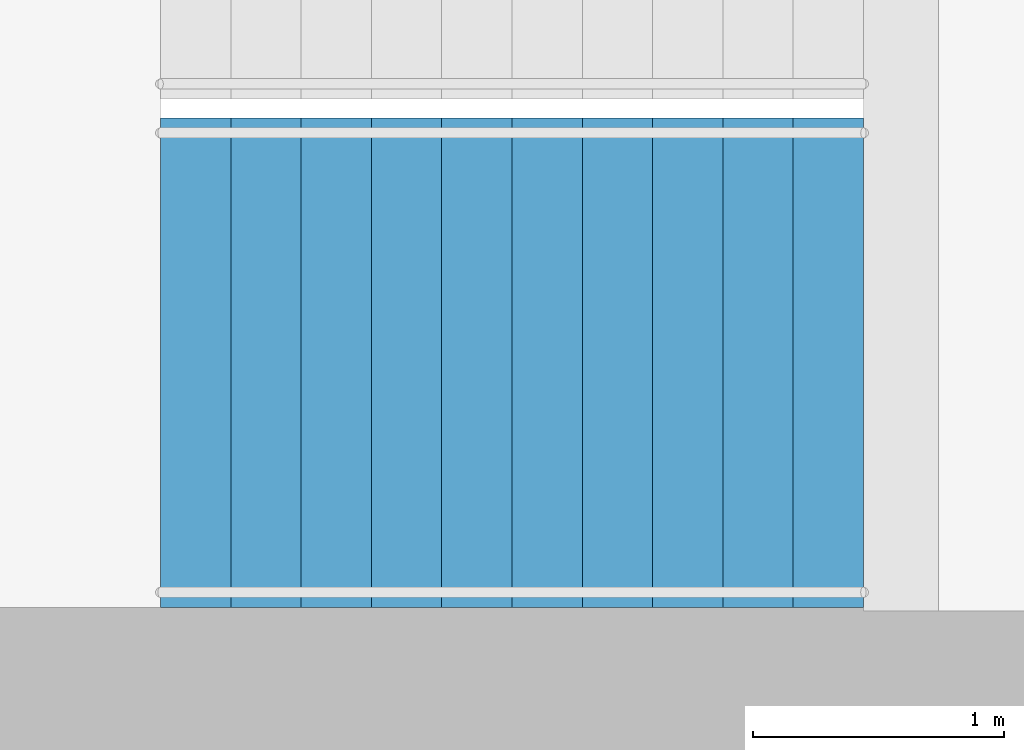
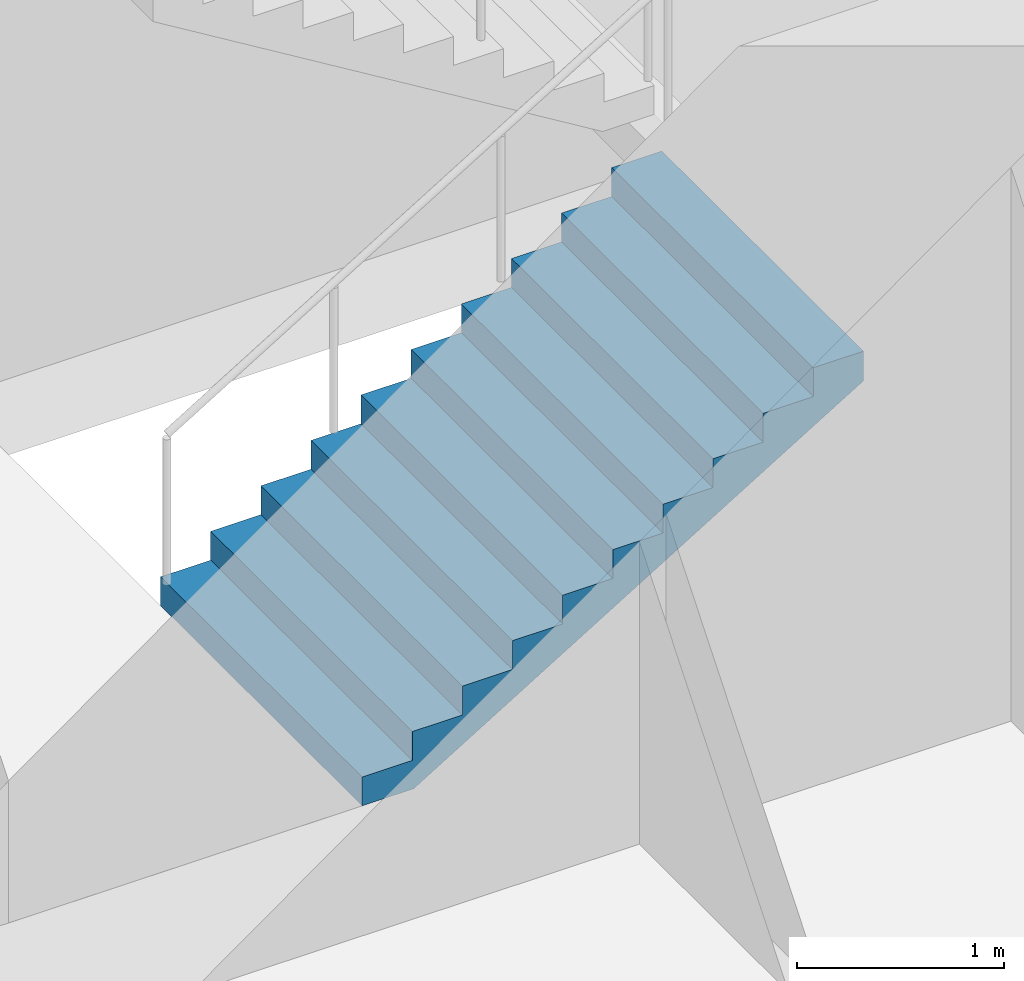
# One storey, part 20 of 25: 1 stair flight, 1 element without a shape of its own.
"""IFC4 building model written with IfcOpenShell, lengths in metres."""

from ifc_helpers import new_model, si_unit, direction, frame, origin, place, context, subcontext, project, spatial, triangles, material, type_object, element, aggregate, save


model = new_model("IFC4")

# Units and contexts
model_context = context("Model", 3, precision=1e-05, world=origin(), true_north=direction((0.0, 1.0)))
body_context = subcontext(model_context, "Body", "Model", "MODEL_VIEW")
ifc_project = project(units=[si_unit("LENGTHUNIT", "METRE"), si_unit("AREAUNIT", "SQUARE_METRE"), si_unit("VOLUMEUNIT", "CUBIC_METRE"), si_unit("PLANEANGLEUNIT", "RADIAN"), si_unit("MASSUNIT", "GRAM", prefix="KILO")], contexts=[model_context])

# Site, building, storey
site_placement = place(None, origin())
site = spatial("IfcSite", under=ifc_project, at=site_placement, CompositionType="ELEMENT")
building_placement = place(site_placement, origin())
building = spatial("IfcBuilding", under=site, at=building_placement, Name="Orbita Commons", CompositionType="ELEMENT")
storey_placement = place(building_placement, frame((0.0, 0.0, 99.39990234375)))
storey = spatial("IfcBuildingStorey", under=building, at=storey_placement, Name="L24", CompositionType="ELEMENT", Elevation=99.39990234375)

# Stair, stair flight
ifc_material_1 = material(Name="Precast concrete C40/50", Category="concrete")
stair_type = type_object("IfcStairType", Name="Exit stair S1 2 flights 11 risers 170", PredefinedType="HALF_TURN_STAIR", material=ifc_material_1)
stair_placement = place(storey_placement, origin())
stair = element("IfcStair", 1, at=stair_placement, inside=storey, type_object=stair_type, Name="Exit stair S1 L24", PredefinedType="HALF_TURN_STAIR")
ifc_material_2 = material(Name="Precast concrete C40/50", Category="concrete")
stair_flight_type = type_object("IfcStairFlightType", Name="Stair flight 11 risers 170 x 280", PredefinedType="STRAIGHT", material=ifc_material_2)
stair_flight_placement = place(storey_placement, frame((20.449951171875, 27.25, 0.0), z_axis=(0.0, 0.0, 1.0), x_axis=(1.0, 0.0, 0.0)))
stair_flight = element("IfcStairFlight", 2, at=stair_flight_placement, type_object=stair_flight_type, Name="S1 flight 1", NumberOfRisers=11, NumberOfTreads=10, PredefinedType="STRAIGHT", RiserHeight=0.170454545, TreadLength=0.28, context=body_context, shape_type="Tessellation", body=[
    triangles([(0.0, 0.974976, 0.0), (0.0, 0.974976, 0.021307), (0.0, 0.81248, 0.021307), (0.0, 0.81248, 0.0), (0.0, 0.649984, 0.021307), (0.0, 0.649984, 0.0), (0.0, 0.487488, 0.021307), (0.0, 0.487488, 0.0), (0.0, 0.324992, 0.021307), (0.0, 0.324992, 0.0), (0.0, 0.162496, 0.021307), (0.0, 0.162496, 0.0), (0.0, 0.0, 0.021307), (0.0, 0.0, 0.0), (0.0, -0.162496, 0.021307), (0.0, -0.162496, 0.0), (0.0, -0.324992, 0.021307), (0.0, -0.324992, 0.0), (0.0, -0.487488, 0.021307), (0.0, -0.487488, 0.0), (0.0, -0.649984, 0.021307), (0.0, -0.649984, 0.0), (0.0, -0.81248, 0.021307), (0.0, -0.81248, 0.0), (0.0, -0.974976, 0.021307), (0.0, -0.974976, 0.0), (0.0, 0.974976, 0.042614), (0.0, 0.81248, 0.042614), (0.0, 0.649984, 0.042614), (0.0, 0.487488, 0.042614), (0.0, 0.324992, 0.042614), (0.0, 0.162496, 0.042614), (0.0, 0.0, 0.042614), (0.0, -0.162496, 0.042614), (0.0, -0.324992, 0.042614), (0.0, -0.487488, 0.042614), (0.0, -0.649984, 0.042614), (0.0, -0.81248, 0.042614), (0.0, -0.974976, 0.042614), (0.0, 0.974976, 0.06392), (0.0, 0.81248, 0.06392), (0.0, 0.649984, 0.06392), (0.0, 0.487488, 0.06392), (0.0, 0.324992, 0.06392), (0.0, 0.162496, 0.06392), (0.0, 0.0, 0.06392), (0.0, -0.162496, 0.06392), (0.0, -0.324992, 0.06392), (0.0, -0.487488, 0.06392), (0.0, -0.649984, 0.06392), (0.0, -0.81248, 0.06392), (0.0, -0.974976, 0.06392), (0.0, 0.974976, 0.085227), (0.0, 0.81248, 0.085227), (0.0, 0.649984, 0.085227), (0.0, 0.487488, 0.085227), (0.0, 0.324992, 0.085227), (0.0, 0.162496, 0.085227), (0.0, 0.0, 0.085227), (0.0, -0.162496, 0.085227), (0.0, -0.324992, 0.085227), (0.0, -0.487488, 0.085227), (0.0, -0.649984, 0.085227), (0.0, -0.81248, 0.085227), (0.0, -0.974976, 0.085227), (0.0, 0.974976, 0.106534), (0.0, 0.81248, 0.106534), (0.0, 0.649984, 0.106534), (0.0, 0.487488, 0.106534), (0.0, 0.324992, 0.106534), (0.0, 0.162496, 0.106534), (0.0, 0.0, 0.106534), (0.0, -0.162496, 0.106534), (0.0, -0.324992, 0.106534), (0.0, -0.487488, 0.106534), (0.0, -0.649984, 0.106534), (0.0, -0.81248, 0.106534), (0.0, -0.974976, 0.106534), (0.0, 0.974976, 0.127841), (0.0, 0.81248, 0.127841), (0.0, 0.649984, 0.127841), (0.0, 0.487488, 0.127841), (0.0, 0.324992, 0.127841), (0.0, 0.162496, 0.127841), (0.0, 0.0, 0.127841), (0.0, -0.162496, 0.127841), (0.0, -0.324992, 0.127841), (0.0, -0.487488, 0.127841), (0.0, -0.649984, 0.127841), (0.0, -0.81248, 0.127841), (0.0, -0.974976, 0.127841), (0.0, 0.974976, 0.149148), (0.0, 0.81248, 0.149148), (0.0, 0.649984, 0.149148), (0.0, 0.487488, 0.149148), (0.0, 0.324992, 0.149148), (0.0, 0.162496, 0.149148), (0.0, 0.0, 0.149148), (0.0, -0.162496, 0.149148), (0.0, -0.324992, 0.149148), (0.0, -0.487488, 0.149148), (0.0, -0.649984, 0.149148), (0.0, -0.81248, 0.149148), (0.0, -0.974976, 0.149148), (0.0, 0.974976, 0.170455), (0.0, 0.81248, 0.170455), (0.0, 0.649984, 0.170455), (0.0, 0.487488, 0.170455), (0.0, 0.324992, 0.170455), (0.0, 0.162496, 0.170455), (0.0, 0.0, 0.170455), (0.0, -0.162496, 0.170455), (0.0, -0.324992, 0.170455), (0.0, -0.487488, 0.170455), (0.0, -0.649984, 0.170455), (0.0, -0.81248, 0.170455), (0.0, -0.974976, 0.170455), (0.28, 0.974976, 0.170455), (0.28, 0.81248, 0.170455), (0.28, 0.649984, 0.170455), (0.28, 0.487488, 0.170455), (0.28, 0.324992, 0.170455), (0.28, 0.162496, 0.170455), (0.28, 0.0, 0.170455), (0.28, -0.162496, 0.170455), (0.28, -0.324992, 0.170455), (0.28, -0.487488, 0.170455), (0.28, -0.649984, 0.170455), (0.28, -0.81248, 0.170455), (0.28, -0.974976, 0.170455), (0.28, 0.974976, 0.340909), (0.28, 0.81248, 0.340909), (0.28, 0.649984, 0.340909), (0.28, 0.487488, 0.340909), (0.28, 0.324992, 0.340909), (0.28, 0.162496, 0.340909), (0.28, 0.0, 0.340909), (0.28, -0.162496, 0.340909), (0.28, -0.324992, 0.340909), (0.28, -0.487488, 0.340909), (0.28, -0.649984, 0.340909), (0.28, -0.81248, 0.340909), (0.28, -0.974976, 0.340909), (0.56, 0.974976, 0.340909), (0.56, 0.81248, 0.340909), (0.56, 0.649984, 0.340909), (0.56, 0.487488, 0.340909), (0.56, 0.324992, 0.340909), (0.56, 0.162496, 0.340909), (0.56, 0.0, 0.340909), (0.56, -0.162496, 0.340909), (0.56, -0.324992, 0.340909), (0.56, -0.487488, 0.340909), (0.56, -0.649984, 0.340909), (0.56, -0.81248, 0.340909), (0.56, -0.974976, 0.340909), (0.56, 0.974976, 0.511364), (0.56, 0.81248, 0.511364), (0.56, 0.649984, 0.511364), (0.56, 0.487488, 0.511364), (0.56, 0.324992, 0.511364), (0.56, 0.162496, 0.511364), (0.56, 0.0, 0.511364), (0.56, -0.162496, 0.511364), (0.56, -0.324992, 0.511364), (0.56, -0.487488, 0.511364), (0.56, -0.649984, 0.511364), (0.56, -0.81248, 0.511364), (0.56, -0.974976, 0.511364), (0.84, 0.974976, 0.511364), (0.84, 0.81248, 0.511364), (0.84, 0.649984, 0.511364), (0.84, 0.487488, 0.511364), (0.84, 0.324992, 0.511364), (0.84, 0.162496, 0.511364), (0.84, 0.0, 0.511364), (0.84, -0.162496, 0.511364), (0.84, -0.324992, 0.511364), (0.84, -0.487488, 0.511364), (0.84, -0.649984, 0.511364), (0.84, -0.81248, 0.511364), (0.84, -0.974976, 0.511364), (0.84, 0.974976, 0.681818), (0.84, 0.81248, 0.681818), (0.84, 0.649984, 0.681818), (0.84, 0.487488, 0.681818), (0.84, 0.324992, 0.681818), (0.84, 0.162496, 0.681818), (0.84, 0.0, 0.681818), (0.84, -0.162496, 0.681818), (0.84, -0.324992, 0.681818), (0.84, -0.487488, 0.681818), (0.84, -0.649984, 0.681818), (0.84, -0.81248, 0.681818), (0.84, -0.974976, 0.681818), (1.12, 0.974976, 0.681818), (1.12, 0.81248, 0.681818), (1.12, 0.649984, 0.681818), (1.12, 0.487488, 0.681818), (1.12, 0.324992, 0.681818), (1.12, 0.162496, 0.681818), (1.12, 0.0, 0.681818), (1.12, -0.162496, 0.681818), (1.12, -0.324992, 0.681818), (1.12, -0.487488, 0.681818), (1.12, -0.649984, 0.681818), (1.12, -0.81248, 0.681818), (1.12, -0.974976, 0.681818), (1.12, 0.974976, 0.852273), (1.12, 0.81248, 0.852273), (1.12, 0.649984, 0.852273), (1.12, 0.487488, 0.852273), (1.12, 0.324992, 0.852273), (1.12, 0.162496, 0.852273), (1.12, 0.0, 0.852273), (1.12, -0.162496, 0.852273), (1.12, -0.324992, 0.852273), (1.12, -0.487488, 0.852273), (1.12, -0.649984, 0.852273), (1.12, -0.81248, 0.852273), (1.12, -0.974976, 0.852273), (1.4, 0.974976, 0.852273), (1.4, 0.81248, 0.852273), (1.4, 0.649984, 0.852273), (1.4, 0.487488, 0.852273), (1.4, 0.324992, 0.852273), (1.4, 0.162496, 0.852273), (1.4, 0.0, 0.852273), (1.4, -0.162496, 0.852273), (1.4, -0.324992, 0.852273), (1.4, -0.487488, 0.852273), (1.4, -0.649984, 0.852273), (1.4, -0.81248, 0.852273), (1.4, -0.974976, 0.852273), (1.4, 0.974976, 1.022727), (1.4, 0.81248, 1.022727), (1.4, 0.649984, 1.022727), (1.4, 0.487488, 1.022727), (1.4, 0.324992, 1.022727), (1.4, 0.162496, 1.022727), (1.4, 0.0, 1.022727), (1.4, -0.162496, 1.022727), (1.4, -0.324992, 1.022727), (1.4, -0.487488, 1.022727), (1.4, -0.649984, 1.022727), (1.4, -0.81248, 1.022727), (1.4, -0.974976, 1.022727), (1.68, 0.974976, 1.022727), (1.68, 0.81248, 1.022727), (1.68, 0.649984, 1.022727), (1.68, 0.487488, 1.022727), (1.68, 0.324992, 1.022727), (1.68, 0.162496, 1.022727), (1.68, 0.0, 1.022727), (1.68, -0.162496, 1.022727), (1.68, -0.324992, 1.022727), (1.68, -0.487488, 1.022727), (1.68, -0.649984, 1.022727), (1.68, -0.81248, 1.022727), (1.68, -0.974976, 1.022727), (1.68, 0.974976, 1.193182), (1.68, 0.81248, 1.193182), (1.68, 0.649984, 1.193182), (1.68, 0.487488, 1.193182), (1.68, 0.324992, 1.193182), (1.68, 0.162496, 1.193182), (1.68, 0.0, 1.193182), (1.68, -0.162496, 1.193182), (1.68, -0.324992, 1.193182), (1.68, -0.487488, 1.193182), (1.68, -0.649984, 1.193182), (1.68, -0.81248, 1.193182), (1.68, -0.974976, 1.193182), (1.96, 0.974976, 1.193182), (1.96, 0.81248, 1.193182), (1.96, 0.649984, 1.193182), (1.96, 0.487488, 1.193182), (1.96, 0.324992, 1.193182), (1.96, 0.162496, 1.193182), (1.96, 0.0, 1.193182), (1.96, -0.162496, 1.193182), (1.96, -0.324992, 1.193182), (1.96, -0.487488, 1.193182), (1.96, -0.649984, 1.193182), (1.96, -0.81248, 1.193182), (1.96, -0.974976, 1.193182), (1.96, 0.974976, 1.363636), (1.96, 0.81248, 1.363636), (1.96, 0.649984, 1.363636), (1.96, 0.487488, 1.363636), (1.96, 0.324992, 1.363636), (1.96, 0.162496, 1.363636), (1.96, 0.0, 1.363636), (1.96, -0.162496, 1.363636), (1.96, -0.324992, 1.363636), (1.96, -0.487488, 1.363636), (1.96, -0.649984, 1.363636), (1.96, -0.81248, 1.363636), (1.96, -0.974976, 1.363636), (2.24, 0.974976, 1.363636), (2.24, 0.81248, 1.363636), (2.24, 0.649984, 1.363636), (2.24, 0.487488, 1.363636), (2.24, 0.324992, 1.363636), (2.24, 0.162496, 1.363636), (2.24, 0.0, 1.363636), (2.24, -0.162496, 1.363636), (2.24, -0.324992, 1.363636), (2.24, -0.487488, 1.363636), (2.24, -0.649984, 1.363636), (2.24, -0.81248, 1.363636), (2.24, -0.974976, 1.363636), (2.24, 0.974976, 1.534091), (2.24, 0.81248, 1.534091), (2.24, 0.649984, 1.534091), (2.24, 0.487488, 1.534091), (2.24, 0.324992, 1.534091), (2.24, 0.162496, 1.534091), (2.24, 0.0, 1.534091), (2.24, -0.162496, 1.534091), (2.24, -0.324992, 1.534091), (2.24, -0.487488, 1.534091), (2.24, -0.649984, 1.534091), (2.24, -0.81248, 1.534091), (2.24, -0.974976, 1.534091), (2.52, 0.974976, 1.534091), (2.52, 0.81248, 1.534091), (2.52, 0.649984, 1.534091), (2.52, 0.487488, 1.534091), (2.52, 0.324992, 1.534091), (2.52, 0.162496, 1.534091), (2.52, 0.0, 1.534091), (2.52, -0.162496, 1.534091), (2.52, -0.324992, 1.534091), (2.52, -0.487488, 1.534091), (2.52, -0.649984, 1.534091), (2.52, -0.81248, 1.534091), (2.52, -0.974976, 1.534091), (2.52, 0.974976, 1.704545), (2.52, 0.81248, 1.704545), (2.52, 0.649984, 1.704545), (2.52, 0.487488, 1.704545), (2.52, 0.324992, 1.704545), (2.52, 0.162496, 1.704545), (2.52, 0.0, 1.704545), (2.52, -0.162496, 1.704545), (2.52, -0.324992, 1.704545), (2.52, -0.487488, 1.704545), (2.52, -0.649984, 1.704545), (2.52, -0.81248, 1.704545), (2.52, -0.974976, 1.704545), (2.8, 0.974976, 1.704545), (2.8, 0.81248, 1.704545), (2.8, 0.649984, 1.704545), (2.8, 0.487488, 1.704545), (2.8, 0.324992, 1.704545), (2.8, 0.162496, 1.704545), (2.8, 0.0, 1.704545), (2.8, -0.162496, 1.704545), (2.8, -0.324992, 1.704545), (2.8, -0.487488, 1.704545), (2.8, -0.649984, 1.704545), (2.8, -0.81248, 1.704545), (2.8, -0.974976, 1.704545), (2.8, 0.974976, 1.682609), (2.8, 0.81248, 1.682609), (2.8, 0.649984, 1.682609), (2.8, 0.487488, 1.682609), (2.8, 0.324992, 1.682609), (2.8, 0.162496, 1.682609), (2.8, 0.0, 1.682609), (2.8, -0.162496, 1.682609), (2.8, -0.324992, 1.682609), (2.8, -0.487488, 1.682609), (2.8, -0.649984, 1.682609), (2.8, -0.81248, 1.682609), (2.8, -0.974976, 1.682609), (2.8, 0.974976, 1.660672), (2.8, 0.81248, 1.660672), (2.8, 0.649984, 1.660672), (2.8, 0.487488, 1.660672), (2.8, 0.324992, 1.660672), (2.8, 0.162496, 1.660672), (2.8, 0.0, 1.660672), (2.8, -0.162496, 1.660672), (2.8, -0.324992, 1.660672), (2.8, -0.487488, 1.660672), (2.8, -0.649984, 1.660672), (2.8, -0.81248, 1.660672), (2.8, -0.974976, 1.660672), (2.8, 0.974976, 1.638735), (2.8, 0.81248, 1.638735), (2.8, 0.649984, 1.638735), (2.8, 0.487488, 1.638735), (2.8, 0.324992, 1.638735), (2.8, 0.162496, 1.638735), (2.8, 0.0, 1.638735), (2.8, -0.162496, 1.638735), (2.8, -0.324992, 1.638735), (2.8, -0.487488, 1.638735), (2.8, -0.649984, 1.638735), (2.8, -0.81248, 1.638735), (2.8, -0.974976, 1.638735), (2.8, 0.974976, 1.616798), (2.8, 0.81248, 1.616798), (2.8, 0.649984, 1.616798), (2.8, 0.487488, 1.616798), (2.8, 0.324992, 1.616798), (2.8, 0.162496, 1.616798), (2.8, 0.0, 1.616798), (2.8, -0.162496, 1.616798), (2.8, -0.324992, 1.616798), (2.8, -0.487488, 1.616798), (2.8, -0.649984, 1.616798), (2.8, -0.81248, 1.616798), (2.8, -0.974976, 1.616798), (2.8, 0.974976, 1.594861), (2.8, 0.81248, 1.594861), (2.8, 0.649984, 1.594861), (2.8, 0.487488, 1.594861), (2.8, 0.324992, 1.594861), (2.8, 0.162496, 1.594861), (2.8, 0.0, 1.594861), (2.8, -0.162496, 1.594861), (2.8, -0.324992, 1.594861), (2.8, -0.487488, 1.594861), (2.8, -0.649984, 1.594861), (2.8, -0.81248, 1.594861), (2.8, -0.974976, 1.594861), (2.8, 0.974976, 1.572925), (2.8, 0.81248, 1.572925), (2.8, 0.649984, 1.572925), (2.8, 0.487488, 1.572925), (2.8, 0.324992, 1.572925), (2.8, 0.162496, 1.572925), (2.8, 0.0, 1.572925), (2.8, -0.162496, 1.572925), (2.8, -0.324992, 1.572925), (2.8, -0.487488, 1.572925), (2.8, -0.649984, 1.572925), (2.8, -0.81248, 1.572925), (2.8, -0.974976, 1.572925), (2.8, 0.974976, 1.550988), (2.8, 0.81248, 1.550988), (2.8, 0.649984, 1.550988), (2.8, 0.487488, 1.550988), (2.8, 0.324992, 1.550988), (2.8, 0.162496, 1.550988), (2.8, 0.0, 1.550988), (2.8, -0.162496, 1.550988), (2.8, -0.324992, 1.550988), (2.8, -0.487488, 1.550988), (2.8, -0.649984, 1.550988), (2.8, -0.81248, 1.550988), (2.8, -0.974976, 1.550988), (2.8, 0.974976, 1.529051), (2.8, 0.81248, 1.529051), (2.8, 0.649984, 1.529051), (2.8, 0.487488, 1.529051), (2.8, 0.324992, 1.529051), (2.8, 0.162496, 1.529051), (2.8, 0.0, 1.529051), (2.8, -0.162496, 1.529051), (2.8, -0.324992, 1.529051), (2.8, -0.487488, 1.529051), (2.8, -0.649984, 1.529051), (2.8, -0.81248, 1.529051), (2.8, -0.974976, 1.529051), (0.288279, 0.974976, 0.0), (0.288279, 0.81248, 0.0), (0.288279, 0.649984, 0.0), (0.288279, 0.487488, 0.0), (0.288279, 0.324992, 0.0), (0.288279, 0.162496, 0.0), (0.288279, 0.0, 0.0), (0.288279, -0.162496, 0.0), (0.288279, -0.324992, 0.0), (0.288279, -0.487488, 0.0), (0.288279, -0.649984, 0.0), (0.288279, -0.81248, 0.0), (0.288279, -0.974976, 0.0)], [[3, 2, 1], [4, 3, 1], [5, 3, 4], [6, 5, 4], [7, 5, 6], [8, 7, 6], [9, 7, 8], [10, 9, 8], [11, 9, 10], [12, 11, 10], [13, 11, 12], [14, 13, 12], [15, 13, 14], [16, 15, 14], [17, 15, 16], [18, 17, 16], [19, 17, 18], [20, 19, 18], [21, 19, 20], [22, 21, 20], [23, 21, 22], [24, 23, 22], [25, 23, 24], [26, 25, 24], [28, 27, 2], [3, 28, 2], [29, 28, 3], [5, 29, 3], [30, 29, 5], [7, 30, 5], [31, 30, 7], [9, 31, 7], [32, 31, 9], [11, 32, 9], [33, 32, 11], [13, 33, 11], [34, 33, 13], [15, 34, 13], [35, 34, 15], [17, 35, 15], [36, 35, 17], [19, 36, 17], [37, 36, 19], [21, 37, 19], [38, 37, 21], [23, 38, 21], [39, 38, 23], [25, 39, 23], [41, 40, 27], [28, 41, 27], [42, 41, 28], [29, 42, 28], [43, 42, 29], [30, 43, 29], [44, 43, 30], [31, 44, 30], [45, 44, 31], [32, 45, 31], [46, 45, 32], [33, 46, 32], [47, 46, 33], [34, 47, 33], [48, 47, 34], [35, 48, 34], [49, 48, 35], [36, 49, 35], [50, 49, 36], [37, 50, 36], [51, 50, 37], [38, 51, 37], [52, 51, 38], [39, 52, 38], [54, 53, 40], [41, 54, 40], [55, 54, 41], [42, 55, 41], [56, 55, 42], [43, 56, 42], [57, 56, 43], [44, 57, 43], [58, 57, 44], [45, 58, 44], [59, 58, 45], [46, 59, 45], [60, 59, 46], [47, 60, 46], [61, 60, 47], [48, 61, 47], [62, 61, 48], [49, 62, 48], [63, 62, 49], [50, 63, 49], [64, 63, 50], [51, 64, 50], [65, 64, 51], [52, 65, 51], [67, 66, 53], [54, 67, 53], [68, 67, 54], [55, 68, 54], [69, 68, 55], [56, 69, 55], [70, 69, 56], [57, 70, 56], [71, 70, 57], [58, 71, 57], [72, 71, 58], [59, 72, 58], [73, 72, 59], [60, 73, 59], [74, 73, 60], [61, 74, 60], [75, 74, 61], [62, 75, 61], [76, 75, 62], [63, 76, 62], [77, 76, 63], [64, 77, 63], [78, 77, 64], [65, 78, 64], [80, 79, 66], [67, 80, 66], [81, 80, 67], [68, 81, 67], [82, 81, 68], [69, 82, 68], [83, 82, 69], [70, 83, 69], [84, 83, 70], [71, 84, 70], [85, 84, 71], [72, 85, 71], [86, 85, 72], [73, 86, 72], [87, 86, 73], [74, 87, 73], [88, 87, 74], [75, 88, 74], [89, 88, 75], [76, 89, 75], [90, 89, 76], [77, 90, 76], [91, 90, 77], [78, 91, 77], [93, 92, 79], [80, 93, 79], [94, 93, 80], [81, 94, 80], [95, 94, 81], [82, 95, 81], [96, 95, 82], [83, 96, 82], [97, 96, 83], [84, 97, 83], [98, 97, 84], [85, 98, 84], [99, 98, 85], [86, 99, 85], [100, 99, 86], [87, 100, 86], [101, 100, 87], [88, 101, 87], [102, 101, 88], [89, 102, 88], [103, 102, 89], [90, 103, 89], [104, 103, 90], [91, 104, 90], [106, 105, 92], [93, 106, 92], [107, 106, 93], [94, 107, 93], [108, 107, 94], [95, 108, 94], [109, 108, 95], [96, 109, 95], [110, 109, 96], [97, 110, 96], [111, 110, 97], [98, 111, 97], [112, 111, 98], [99, 112, 98], [113, 112, 99], [100, 113, 99], [114, 113, 100], [101, 114, 100], [115, 114, 101], [102, 115, 101], [116, 115, 102], [103, 116, 102], [117, 116, 103], [104, 117, 103], [119, 118, 105], [106, 119, 105], [120, 119, 106], [107, 120, 106], [121, 120, 107], [108, 121, 107], [122, 121, 108], [109, 122, 108], [123, 122, 109], [110, 123, 109], [124, 123, 110], [111, 124, 110], [125, 124, 111], [112, 125, 111], [126, 125, 112], [113, 126, 112], [127, 126, 113], [114, 127, 113], [128, 127, 114], [115, 128, 114], [129, 128, 115], [116, 129, 115], [130, 129, 116], [117, 130, 116], [132, 131, 118], [119, 132, 118], [133, 132, 119], [120, 133, 119], [134, 133, 120], [121, 134, 120], [135, 134, 121], [122, 135, 121], [136, 135, 122], [123, 136, 122], [137, 136, 123], [124, 137, 123], [138, 137, 124], [125, 138, 124], [139, 138, 125], [126, 139, 125], [140, 139, 126], [127, 140, 126], [141, 140, 127], [128, 141, 127], [142, 141, 128], [129, 142, 128], [143, 142, 129], [130, 143, 129], [145, 144, 131], [132, 145, 131], [146, 145, 132], [133, 146, 132], [147, 146, 133], [134, 147, 133], [148, 147, 134], [135, 148, 134], [149, 148, 135], [136, 149, 135], [150, 149, 136], [137, 150, 136], [151, 150, 137], [138, 151, 137], [152, 151, 138], [139, 152, 138], [153, 152, 139], [140, 153, 139], [154, 153, 140], [141, 154, 140], [155, 154, 141], [142, 155, 141], [156, 155, 142], [143, 156, 142], [158, 157, 144], [145, 158, 144], [159, 158, 145], [146, 159, 145], [160, 159, 146], [147, 160, 146], [161, 160, 147], [148, 161, 147], [162, 161, 148], [149, 162, 148], [163, 162, 149], [150, 163, 149], [164, 163, 150], [151, 164, 150], [165, 164, 151], [152, 165, 151], [166, 165, 152], [153, 166, 152], [167, 166, 153], [154, 167, 153], [168, 167, 154], [155, 168, 154], [169, 168, 155], [156, 169, 155], [171, 170, 157], [158, 171, 157], [172, 171, 158], [159, 172, 158], [173, 172, 159], [160, 173, 159], [174, 173, 160], [161, 174, 160], [175, 174, 161], [162, 175, 161], [176, 175, 162], [163, 176, 162], [177, 176, 163], [164, 177, 163], [178, 177, 164], [165, 178, 164], [179, 178, 165], [166, 179, 165], [180, 179, 166], [167, 180, 166], [181, 180, 167], [168, 181, 167], [182, 181, 168], [169, 182, 168], [184, 183, 170], [171, 184, 170], [185, 184, 171], [172, 185, 171], [186, 185, 172], [173, 186, 172], [187, 186, 173], [174, 187, 173], [188, 187, 174], [175, 188, 174], [189, 188, 175], [176, 189, 175], [190, 189, 176], [177, 190, 176], [191, 190, 177], [178, 191, 177], [192, 191, 178], [179, 192, 178], [193, 192, 179], [180, 193, 179], [194, 193, 180], [181, 194, 180], [195, 194, 181], [182, 195, 181], [197, 196, 183], [184, 197, 183], [198, 197, 184], [185, 198, 184], [199, 198, 185], [186, 199, 185], [200, 199, 186], [187, 200, 186], [201, 200, 187], [188, 201, 187], [202, 201, 188], [189, 202, 188], [203, 202, 189], [190, 203, 189], [204, 203, 190], [191, 204, 190], [205, 204, 191], [192, 205, 191], [206, 205, 192], [193, 206, 192], [207, 206, 193], [194, 207, 193], [208, 207, 194], [195, 208, 194], [210, 209, 196], [197, 210, 196], [211, 210, 197], [198, 211, 197], [212, 211, 198], [199, 212, 198], [213, 212, 199], [200, 213, 199], [214, 213, 200], [201, 214, 200], [215, 214, 201], [202, 215, 201], [216, 215, 202], [203, 216, 202], [217, 216, 203], [204, 217, 203], [218, 217, 204], [205, 218, 204], [219, 218, 205], [206, 219, 205], [220, 219, 206], [207, 220, 206], [221, 220, 207], [208, 221, 207], [223, 222, 209], [210, 223, 209], [224, 223, 210], [211, 224, 210], [225, 224, 211], [212, 225, 211], [226, 225, 212], [213, 226, 212], [227, 226, 213], [214, 227, 213], [228, 227, 214], [215, 228, 214], [229, 228, 215], [216, 229, 215], [230, 229, 216], [217, 230, 216], [231, 230, 217], [218, 231, 217], [232, 231, 218], [219, 232, 218], [233, 232, 219], [220, 233, 219], [234, 233, 220], [221, 234, 220], [236, 235, 222], [223, 236, 222], [237, 236, 223], [224, 237, 223], [238, 237, 224], [225, 238, 224], [239, 238, 225], [226, 239, 225], [240, 239, 226], [227, 240, 226], [241, 240, 227], [228, 241, 227], [242, 241, 228], [229, 242, 228], [243, 242, 229], [230, 243, 229], [244, 243, 230], [231, 244, 230], [245, 244, 231], [232, 245, 231], [246, 245, 232], [233, 246, 232], [247, 246, 233], [234, 247, 233], [249, 248, 235], [236, 249, 235], [250, 249, 236], [237, 250, 236], [251, 250, 237], [238, 251, 237], [252, 251, 238], [239, 252, 238], [253, 252, 239], [240, 253, 239], [254, 253, 240], [241, 254, 240], [255, 254, 241], [242, 255, 241], [256, 255, 242], [243, 256, 242], [257, 256, 243], [244, 257, 243], [258, 257, 244], [245, 258, 244], [259, 258, 245], [246, 259, 245], [260, 259, 246], [247, 260, 246], [262, 261, 248], [249, 262, 248], [263, 262, 249], [250, 263, 249], [264, 263, 250], [251, 264, 250], [265, 264, 251], [252, 265, 251], [266, 265, 252], [253, 266, 252], [267, 266, 253], [254, 267, 253], [268, 267, 254], [255, 268, 254], [269, 268, 255], [256, 269, 255], [270, 269, 256], [257, 270, 256], [271, 270, 257], [258, 271, 257], [272, 271, 258], [259, 272, 258], [273, 272, 259], [260, 273, 259], [275, 274, 261], [262, 275, 261], [276, 275, 262], [263, 276, 262], [277, 276, 263], [264, 277, 263], [278, 277, 264], [265, 278, 264], [279, 278, 265], [266, 279, 265], [280, 279, 266], [267, 280, 266], [281, 280, 267], [268, 281, 267], [282, 281, 268], [269, 282, 268], [283, 282, 269], [270, 283, 269], [284, 283, 270], [271, 284, 270], [285, 284, 271], [272, 285, 271], [286, 285, 272], [273, 286, 272], [288, 287, 274], [275, 288, 274], [289, 288, 275], [276, 289, 275], [290, 289, 276], [277, 290, 276], [291, 290, 277], [278, 291, 277], [292, 291, 278], [279, 292, 278], [293, 292, 279], [280, 293, 279], [294, 293, 280], [281, 294, 280], [295, 294, 281], [282, 295, 281], [296, 295, 282], [283, 296, 282], [297, 296, 283], [284, 297, 283], [298, 297, 284], [285, 298, 284], [299, 298, 285], [286, 299, 285], [301, 300, 287], [288, 301, 287], [302, 301, 288], [289, 302, 288], [303, 302, 289], [290, 303, 289], [304, 303, 290], [291, 304, 290], [305, 304, 291], [292, 305, 291], [306, 305, 292], [293, 306, 292], [307, 306, 293], [294, 307, 293], [308, 307, 294], [295, 308, 294], [309, 308, 295], [296, 309, 295], [310, 309, 296], [297, 310, 296], [311, 310, 297], [298, 311, 297], [312, 311, 298], [299, 312, 298], [314, 313, 300], [301, 314, 300], [315, 314, 301], [302, 315, 301], [316, 315, 302], [303, 316, 302], [317, 316, 303], [304, 317, 303], [318, 317, 304], [305, 318, 304], [319, 318, 305], [306, 319, 305], [320, 319, 306], [307, 320, 306], [321, 320, 307], [308, 321, 307], [322, 321, 308], [309, 322, 308], [323, 322, 309], [310, 323, 309], [324, 323, 310], [311, 324, 310], [325, 324, 311], [312, 325, 311], [327, 326, 313], [314, 327, 313], [328, 327, 314], [315, 328, 314], [329, 328, 315], [316, 329, 315], [330, 329, 316], [317, 330, 316], [331, 330, 317], [318, 331, 317], [332, 331, 318], [319, 332, 318], [333, 332, 319], [320, 333, 319], [334, 333, 320], [321, 334, 320], [335, 334, 321], [322, 335, 321], [336, 335, 322], [323, 336, 322], [337, 336, 323], [324, 337, 323], [338, 337, 324], [325, 338, 324], [340, 339, 326], [327, 340, 326], [341, 340, 327], [328, 341, 327], [342, 341, 328], [329, 342, 328], [343, 342, 329], [330, 343, 329], [344, 343, 330], [331, 344, 330], [345, 344, 331], [332, 345, 331], [346, 345, 332], [333, 346, 332], [347, 346, 333], [334, 347, 333], [348, 347, 334], [335, 348, 334], [349, 348, 335], [336, 349, 335], [350, 349, 336], [337, 350, 336], [351, 350, 337], [338, 351, 337], [353, 352, 339], [340, 353, 339], [354, 353, 340], [341, 354, 340], [355, 354, 341], [342, 355, 341], [356, 355, 342], [343, 356, 342], [357, 356, 343], [344, 357, 343], [358, 357, 344], [345, 358, 344], [359, 358, 345], [346, 359, 345], [360, 359, 346], [347, 360, 346], [361, 360, 347], [348, 361, 347], [362, 361, 348], [349, 362, 348], [363, 362, 349], [350, 363, 349], [364, 363, 350], [351, 364, 350], [366, 365, 352], [353, 366, 352], [367, 366, 353], [354, 367, 353], [368, 367, 354], [355, 368, 354], [369, 368, 355], [356, 369, 355], [370, 369, 356], [357, 370, 356], [371, 370, 357], [358, 371, 357], [372, 371, 358], [359, 372, 358], [373, 372, 359], [360, 373, 359], [374, 373, 360], [361, 374, 360], [375, 374, 361], [362, 375, 361], [376, 375, 362], [363, 376, 362], [377, 376, 363], [364, 377, 363], [379, 378, 365], [366, 379, 365], [380, 379, 366], [367, 380, 366], [381, 380, 367], [368, 381, 367], [382, 381, 368], [369, 382, 368], [383, 382, 369], [370, 383, 369], [384, 383, 370], [371, 384, 370], [385, 384, 371], [372, 385, 371], [386, 385, 372], [373, 386, 372], [387, 386, 373], [374, 387, 373], [388, 387, 374], [375, 388, 374], [389, 388, 375], [376, 389, 375], [390, 389, 376], [377, 390, 376], [392, 391, 378], [379, 392, 378], [393, 392, 379], [380, 393, 379], [394, 393, 380], [381, 394, 380], [395, 394, 381], [382, 395, 381], [396, 395, 382], [383, 396, 382], [397, 396, 383], [384, 397, 383], [398, 397, 384], [385, 398, 384], [399, 398, 385], [386, 399, 385], [400, 399, 386], [387, 400, 386], [401, 400, 387], [388, 401, 387], [402, 401, 388], [389, 402, 388], [403, 402, 389], [390, 403, 389], [405, 404, 391], [392, 405, 391], [406, 405, 392], [393, 406, 392], [407, 406, 393], [394, 407, 393], [408, 407, 394], [395, 408, 394], [409, 408, 395], [396, 409, 395], [410, 409, 396], [397, 410, 396], [411, 410, 397], [398, 411, 397], [412, 411, 398], [399, 412, 398], [413, 412, 399], [400, 413, 399], [414, 413, 400], [401, 414, 400], [415, 414, 401], [402, 415, 401], [416, 415, 402], [403, 416, 402], [418, 417, 404], [405, 418, 404], [419, 418, 405], [406, 419, 405], [420, 419, 406], [407, 420, 406], [421, 420, 407], [408, 421, 407], [422, 421, 408], [409, 422, 408], [423, 422, 409], [410, 423, 409], [424, 423, 410], [411, 424, 410], [425, 424, 411], [412, 425, 411], [426, 425, 412], [413, 426, 412], [427, 426, 413], [414, 427, 413], [428, 427, 414], [415, 428, 414], [429, 428, 415], [416, 429, 415], [431, 430, 417], [418, 431, 417], [432, 431, 418], [419, 432, 418], [433, 432, 419], [420, 433, 419], [434, 433, 420], [421, 434, 420], [435, 434, 421], [422, 435, 421], [436, 435, 422], [423, 436, 422], [437, 436, 423], [424, 437, 423], [438, 437, 424], [425, 438, 424], [439, 438, 425], [426, 439, 425], [440, 439, 426], [427, 440, 426], [441, 440, 427], [428, 441, 427], [442, 441, 428], [429, 442, 428], [444, 443, 430], [431, 444, 430], [445, 444, 431], [432, 445, 431], [446, 445, 432], [433, 446, 432], [447, 446, 433], [434, 447, 433], [448, 447, 434], [435, 448, 434], [449, 448, 435], [436, 449, 435], [450, 449, 436], [437, 450, 436], [451, 450, 437], [438, 451, 437], [452, 451, 438], [439, 452, 438], [453, 452, 439], [440, 453, 439], [454, 453, 440], [441, 454, 440], [455, 454, 441], [442, 455, 441], [457, 456, 443], [444, 457, 443], [458, 457, 444], [445, 458, 444], [459, 458, 445], [446, 459, 445], [460, 459, 446], [447, 460, 446], [461, 460, 447], [448, 461, 447], [462, 461, 448], [449, 462, 448], [463, 462, 449], [450, 463, 449], [464, 463, 450], [451, 464, 450], [465, 464, 451], [452, 465, 451], [466, 465, 452], [453, 466, 452], [467, 466, 453], [454, 467, 453], [468, 467, 454], [455, 468, 454], [470, 469, 456], [457, 470, 456], [471, 470, 457], [458, 471, 457], [472, 471, 458], [459, 472, 458], [473, 472, 459], [460, 473, 459], [474, 473, 460], [461, 474, 460], [475, 474, 461], [462, 475, 461], [476, 475, 462], [463, 476, 462], [477, 476, 463], [464, 477, 463], [478, 477, 464], [465, 478, 464], [479, 478, 465], [466, 479, 465], [480, 479, 466], [467, 480, 466], [481, 480, 467], [468, 481, 467], [4, 1, 469], [470, 4, 469], [6, 4, 470], [471, 6, 470], [8, 6, 471], [472, 8, 471], [10, 8, 472], [473, 10, 472], [12, 10, 473], [474, 12, 473], [14, 12, 474], [475, 14, 474], [16, 14, 475], [476, 16, 475], [18, 16, 476], [477, 18, 476], [20, 18, 477], [478, 20, 477], [22, 20, 478], [479, 22, 478], [24, 22, 479], [480, 24, 479], [26, 24, 480], [481, 26, 480], [456, 469, 1], [26, 481, 468], [443, 456, 1], [26, 468, 455], [430, 443, 1], [26, 455, 442], [417, 430, 1], [26, 442, 429], [404, 417, 1], [26, 429, 416], [391, 404, 1], [26, 416, 403], [378, 391, 1], [26, 403, 390], [365, 378, 1], [26, 390, 377], [339, 352, 365], [377, 364, 351], [326, 339, 365], [377, 351, 338], [300, 313, 326], [338, 325, 312], [300, 326, 365], [377, 338, 312], [274, 287, 300], [312, 299, 286], [274, 300, 365], [377, 312, 286], [248, 261, 274], [286, 273, 260], [248, 274, 365], [377, 286, 260], [222, 235, 248], [260, 247, 234], [222, 248, 365], [377, 260, 234], [196, 209, 222], [234, 221, 208], [196, 222, 365], [377, 234, 208], [170, 183, 196], [208, 195, 182], [170, 196, 365], [377, 208, 182], [144, 157, 170], [182, 169, 156], [144, 170, 365], [377, 182, 156], [118, 131, 144], [156, 143, 130], [118, 144, 365], [377, 156, 130], [118, 365, 1], [26, 377, 130], [92, 105, 118], [130, 117, 104], [79, 92, 118], [130, 104, 91], [66, 79, 118], [130, 91, 78], [53, 66, 118], [130, 78, 65], [40, 53, 118], [130, 65, 52], [27, 40, 118], [130, 52, 39], [2, 27, 118], [130, 39, 25], [1, 2, 118], [130, 25, 26]], closed=True),
])
aggregate(stair, [stair_flight])

save(model, "model.ifc")
